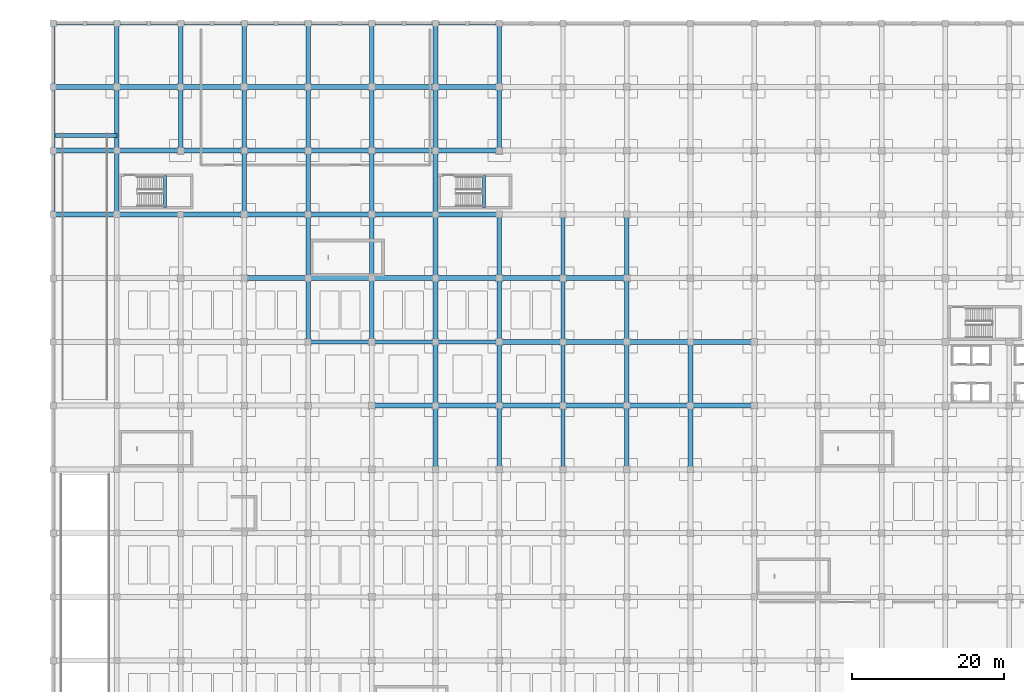
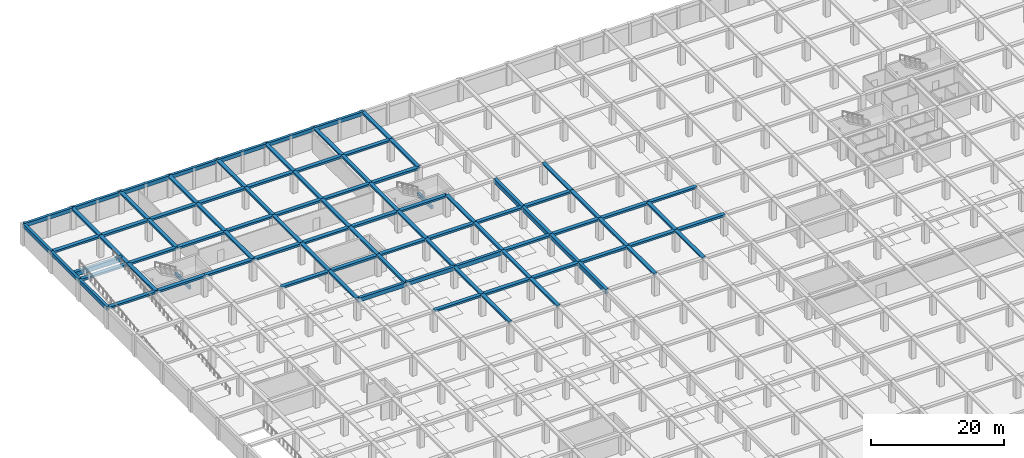
# One storey, part 6 of 32: 94 beams.
"""IFC4 building model written with IfcOpenShell, lengths in metres."""

from ifc_helpers import new_model, si_unit, direction, frame, origin, origin_2d, place, context, subcontext, project, spatial, rectangle, extrude, material, material_profile, profile_set, type_object, element, save


model = new_model("IFC4")

# Units and contexts
model_context = context("Model", 3, precision=1e-05, world=origin(), true_north=direction((0.0, 1.0)))
body_context = subcontext(model_context, "Body", "Model", "MODEL_VIEW")
ifc_project = project(units=[si_unit("LENGTHUNIT", "METRE"), si_unit("AREAUNIT", "SQUARE_METRE"), si_unit("VOLUMEUNIT", "CUBIC_METRE"), si_unit("PLANEANGLEUNIT", "RADIAN"), si_unit("MASSUNIT", "GRAM", prefix="KILO")], contexts=[model_context])

# Site, building, storey
site_placement = place(None, origin())
site = spatial("IfcSite", under=ifc_project, at=site_placement, CompositionType="ELEMENT")
building_placement = place(site_placement, origin())
building = spatial("IfcBuilding", under=site, at=building_placement, Name="Almacenes y Pasaje Nevantli", CompositionType="ELEMENT")
storey_placement = place(building_placement, frame((0.0, 0.0, -4.199951171875)))
storey = spatial("IfcBuildingStorey", under=building, at=storey_placement, Name="B01", CompositionType="ELEMENT", Elevation=-4.199951171875)

# Beams
ifc_material_1 = material(Name="Concrete C35/45", Category="concrete")
ifc_material_profile_1 = material_profile(ifc_material_1, rectangle(XDim=0.39990234375, YDim=0.60009765625, at=origin_2d()), Name="RC-BM-400x600")
ifc_profile_set_1 = profile_set([ifc_material_profile_1], Name="Concrete C35/45")
beam_type_1 = type_object("IfcBeamType", Name="BM-RC-400x600", PredefinedType="SPANDREL", material=ifc_profile_set_1)
for number, where, z_axis, x_axis, name in (
    (1, (14.780029296875, 93.300048828125, 1.599853515625), (0.0, 1.0, 0.0), (-1.0, 0.0, 0.0), "B01 Stair ST-03 Half-Landing Support Beam"),
    (2, (56.780029296875, 93.300048828125, 1.599853515625), (0.0, 1.0, 0.0), (-1.0, 0.0, 0.0), "B01 Stair ST-05 Half-Landing Support Beam"),
):
    element("IfcBeam", number, at=place(storey_placement, frame(where, z_axis=z_axis, x_axis=x_axis)), inside=storey, type_object=beam_type_1, Name=name, PredefinedType="SPANDREL", context=body_context, shape_type="SweptSolid", body=[
        extrude(rectangle(XDim=0.39990234375, YDim=0.60009765625, at=origin_2d()), origin(), (0.0, 0.0, 1.0), 4.25),
    ])
ifc_material_2 = material(Name="Concrete C35/45", Category="concrete")
ifc_material_profile_2 = material_profile(ifc_material_2, rectangle(XDim=0.449951171875, YDim=0.64990234375, at=origin_2d()), Name="RC-BM-450x650")
ifc_profile_set_2 = profile_set([ifc_material_profile_2], Name="Concrete C35/45")
beam_type_2 = type_object("IfcBeamType", Name="BM-RC-450x650", PredefinedType="SPANDREL", material=ifc_profile_set_2)
for number, where, z_axis, x_axis, name in (
    (3, (8.39990234375, 117.60009765625, 3.554931640625), (1.0, 0.0, 0.0), (0.0, 1.0, 0.0), "B01 East-West Reinforced Concrete Beam #877"),
    (4, (25.199951171875, 117.60009765625, 3.554931640625), (1.0, 0.0, 0.0), (0.0, 1.0, 0.0), "B01 East-West Reinforced Concrete Beam #879"),
):
    element("IfcBeam", number, at=place(storey_placement, frame(where, z_axis=z_axis, x_axis=x_axis)), inside=storey, type_object=beam_type_2, Name=name, PredefinedType="SPANDREL", context=body_context, shape_type="SweptSolid", body=[
        extrude(rectangle(XDim=0.449951171875, YDim=0.64990234375, at=origin_2d()), origin(), (0.0, 0.0, 1.0), 8.400146484375),
    ])
beam_1_placement = place(storey_placement, frame((42.0, 117.60009765625, 3.554931640625), z_axis=(1.0, 0.0, 0.0), x_axis=(0.0, 1.0, 0.0)))
element("IfcBeam", 5, at=beam_1_placement, inside=storey, type_object=beam_type_2, Name="B01 East-West Reinforced Concrete Beam #881", PredefinedType="SPANDREL", context=body_context, shape_type="SweptSolid", body=[
    extrude(rectangle(XDim=0.449951171875, YDim=0.64990234375, at=origin_2d()), origin(), (0.0, 0.0, 1.0), 8.39990234375),
])
ifc_material_3 = material(Name="Concrete C35/45", Category="concrete")
ifc_material_profile_3 = material_profile(ifc_material_3, rectangle(XDim=0.449951171875, YDim=0.699951171875, at=origin_2d()), Name="RC-BM-450x700")
ifc_profile_set_3 = profile_set([ifc_material_profile_3], Name="Concrete C35/45")
beam_type_3 = type_object("IfcBeamType", Name="BM-RC-450x700", PredefinedType="SPANDREL", material=ifc_profile_set_3)
for number, where, z_axis, x_axis, name in (
    (6, (0.0, 117.60009765625, 3.530029296875), (1.0, 0.0, 0.0), (0.0, 1.0, 0.0), "B01 East-West Reinforced Concrete Beam #876"),
    (7, (16.800048828125, 117.60009765625, 3.530029296875), (1.0, 0.0, 0.0), (0.0, 1.0, 0.0), "B01 East-West Reinforced Concrete Beam #878"),
    (8, (33.60009765625, 117.60009765625, 3.530029296875), (1.0, 0.0, 0.0), (0.0, 1.0, 0.0), "B01 East-West Reinforced Concrete Beam #880"),
):
    element("IfcBeam", number, at=place(storey_placement, frame(where, z_axis=z_axis, x_axis=x_axis)), inside=storey, type_object=beam_type_3, Name=name, PredefinedType="SPANDREL", context=body_context, shape_type="SweptSolid", body=[
        extrude(rectangle(XDim=0.449951171875, YDim=0.699951171875, at=origin_2d()), origin(), (0.0, 0.0, 1.0), 8.39990234375),
    ])
for number, where, z_axis, x_axis, name in (
    (9, (50.39990234375, 117.60009765625, 3.530029296875), (1.0, 0.0, 0.0), (0.0, 1.0, 0.0), "B01 East-West Reinforced Concrete Beam #882"),
    (10, (0.0, 92.39990234375, 3.530029296875), (0.0, 1.0, 0.0), (-1.0, 0.0, 0.0), "B01 North-South Reinforced Concrete Beam #904"),
):
    element("IfcBeam", number, at=place(storey_placement, frame(where, z_axis=z_axis, x_axis=x_axis)), inside=storey, type_object=beam_type_3, Name=name, PredefinedType="SPANDREL", context=body_context, shape_type="SweptSolid", body=[
        extrude(rectangle(XDim=0.449951171875, YDim=0.699951171875, at=origin_2d()), origin(), (0.0, 0.0, 1.0), 8.400146484375),
    ])
beam_2_placement = place(storey_placement, frame((0.0, 100.800048828125, 3.530029296875), z_axis=(0.0, 1.0, 0.0), x_axis=(-1.0, 0.0, 0.0)))
element("IfcBeam", 11, at=beam_2_placement, inside=storey, type_object=beam_type_3, Name="B01 North-South Reinforced Concrete Beam #905", PredefinedType="SPANDREL", context=body_context, shape_type="SweptSolid", body=[
    extrude(rectangle(XDim=0.449951171875, YDim=0.699951171875, at=origin_2d()), origin(), (0.0, 0.0, 1.0), 8.39990234375),
])
beam_3_placement = place(storey_placement, frame((0.0, 109.199951171875, 3.530029296875), z_axis=(0.0, 1.0, 0.0), x_axis=(-1.0, 0.0, 0.0)))
element("IfcBeam", 12, at=beam_3_placement, inside=storey, type_object=beam_type_3, Name="B01 North-South Reinforced Concrete Beam #906", PredefinedType="SPANDREL", context=body_context, shape_type="SweptSolid", body=[
    extrude(rectangle(XDim=0.449951171875, YDim=0.699951171875, at=origin_2d()), origin(), (0.0, 0.0, 1.0), 8.400146484375),
])
ifc_material_4 = material(Name="Concrete C35/45", Category="concrete")
ifc_material_profile_4 = material_profile(ifc_material_4, rectangle(XDim=0.5, YDim=0.699951171875, at=origin_2d()), Name="RC-BM-500x700")
ifc_profile_set_4 = profile_set([ifc_material_profile_4], Name="Concrete C35/45")
beam_type_4 = type_object("IfcBeamType", Name="BM-RC-500x700", PredefinedType="BEAM", material=ifc_profile_set_4)
beam_4_placement = place(storey_placement, frame((42.0, 75.60009765625, 3.530029296875), z_axis=(1.0, 0.0, 0.0), x_axis=(0.0, 1.0, 0.0)))
element("IfcBeam", 13, at=beam_4_placement, inside=storey, type_object=beam_type_4, Name="B01 East-West Reinforced Concrete Beam #781", PredefinedType="BEAM", context=body_context, shape_type="SweptSolid", body=[
    extrude(rectangle(XDim=0.5, YDim=0.699951171875, at=origin_2d()), origin(), (0.0, 0.0, 1.0), 8.39990234375),
])
ifc_material_5 = material(Name="Concrete C35/45", Category="concrete")
ifc_material_profile_5 = material_profile(ifc_material_5, rectangle(XDim=0.5, YDim=0.75, at=origin_2d()), Name="RC-BM-500x750")
ifc_profile_set_5 = profile_set([ifc_material_profile_5], Name="Concrete C35/45")
beam_type_5 = type_object("IfcBeamType", Name="BM-RC-500x750", PredefinedType="BEAM", material=ifc_profile_set_5)
beam_5_placement = place(storey_placement, frame((33.60009765625, 75.60009765625, 3.5048828125), z_axis=(1.0, 0.0, 0.0), x_axis=(0.0, 1.0, 0.0)))
element("IfcBeam", 14, at=beam_5_placement, inside=storey, type_object=beam_type_5, Name="B01 East-West Reinforced Concrete Beam #780", PredefinedType="BEAM", context=body_context, shape_type="SweptSolid", body=[
    extrude(rectangle(XDim=0.5, YDim=0.75, at=origin_2d()), origin(), (0.0, 0.0, 1.0), 8.39990234375),
])
beam_6_placement = place(storey_placement, frame((50.39990234375, 75.60009765625, 3.5048828125), z_axis=(1.0, 0.0, 0.0), x_axis=(0.0, 1.0, 0.0)))
element("IfcBeam", 15, at=beam_6_placement, inside=storey, type_object=beam_type_5, Name="B01 East-West Reinforced Concrete Beam #782", PredefinedType="BEAM", context=body_context, shape_type="SweptSolid", body=[
    extrude(rectangle(XDim=0.5, YDim=0.75, at=origin_2d()), origin(), (0.0, 0.0, 1.0), 8.400146484375),
])
ifc_material_6 = material(Name="Concrete C35/45", Category="concrete")
ifc_material_profile_6 = material_profile(ifc_material_6, rectangle(XDim=0.550048828125, YDim=0.800048828125, at=origin_2d()), Name="RC-BM-550x800")
ifc_profile_set_6 = profile_set([ifc_material_profile_6], Name="Concrete C35/45")
beam_type_6 = type_object("IfcBeamType", Name="BM-RC-550x800", PredefinedType="BEAM", material=ifc_profile_set_6)
beam_7_placement = place(storey_placement, frame((67.199951171875, 58.800048828125, 3.47998046875), z_axis=(0.0, 1.0, 0.0), x_axis=(-1.0, 0.0, 0.0)))
element("IfcBeam", 16, at=beam_7_placement, inside=storey, type_object=beam_type_6, Name="B01 North-South Reinforced Concrete Beam #1003", PredefinedType="BEAM", context=body_context, shape_type="SweptSolid", body=[
    extrude(rectangle(XDim=0.550048828125, YDim=0.800048828125, at=origin_2d()), origin(), (0.0, 0.0, 1.0), 8.39990234375),
])
beam_8_placement = place(storey_placement, frame((67.199951171875, 67.199951171875, 3.47998046875), z_axis=(0.0, 1.0, 0.0), x_axis=(-1.0, 0.0, 0.0)))
element("IfcBeam", 17, at=beam_8_placement, inside=storey, type_object=beam_type_6, Name="B01 North-South Reinforced Concrete Beam #1004", PredefinedType="BEAM", context=body_context, shape_type="SweptSolid", body=[
    extrude(rectangle(XDim=0.550048828125, YDim=0.800048828125, at=origin_2d()), origin(), (0.0, 0.0, 1.0), 8.400146484375),
])
for number, where, z_axis, x_axis, name in (
    (18, (67.199951171875, 75.60009765625, 3.47998046875), (0.0, 1.0, 0.0), (-1.0, 0.0, 0.0), "B01 North-South Reinforced Concrete Beam #1005"),
    (19, (67.199951171875, 84.0, 3.47998046875), (0.0, 1.0, 0.0), (-1.0, 0.0, 0.0), "B01 North-South Reinforced Concrete Beam #1006"),
    (20, (0.0, 102.800048828125, 3.47998046875), (1.0, 0.0, 0.0), (0.0, 1.0, 0.0), "L01 Vehicular Ramp RP-02 Top Header Beam"),
):
    element("IfcBeam", number, at=place(storey_placement, frame(where, z_axis=z_axis, x_axis=x_axis)), inside=storey, type_object=beam_type_6, Name=name, PredefinedType="BEAM", context=body_context, shape_type="SweptSolid", body=[
        extrude(rectangle(XDim=0.550048828125, YDim=0.800048828125, at=origin_2d()), origin(), (0.0, 0.0, 1.0), 8.39990234375),
    ])
ifc_material_7 = material(Name="Concrete C35/45", Category="concrete")
ifc_material_profile_7 = material_profile(ifc_material_7, rectangle(XDim=0.60009765625, YDim=0.320068359375, at=origin_2d()), Name="RC-BM-600x320")
ifc_profile_set_7 = profile_set([ifc_material_profile_7], Name="Concrete C35/45")
beam_type_7 = type_object("IfcBeamType", Name="BM-RC-600x320", PredefinedType="BEAM", material=ifc_profile_set_7)
beam_9_placement = place(storey_placement, frame((8.39990234375, 100.800048828125, 3.719970703125), z_axis=(0.0, 1.0, 0.0), x_axis=(-1.0, 0.0, 0.0)))
element("IfcBeam", 21, at=beam_9_placement, inside=storey, type_object=beam_type_7, Name="B01 North-South Reinforced Concrete Beam #916", PredefinedType="BEAM", context=body_context, shape_type="SweptSolid", body=[
    extrude(rectangle(XDim=0.60009765625, YDim=0.320068359375, at=origin_2d()), origin(), (0.0, 0.0, 1.0), 8.39990234375),
])
beam_10_placement = place(storey_placement, frame((16.800048828125, 109.199951171875, 3.719970703125), z_axis=(0.0, 1.0, 0.0), x_axis=(-1.0, 0.0, 0.0)))
element("IfcBeam", 22, at=beam_10_placement, inside=storey, type_object=beam_type_7, Name="B01 North-South Reinforced Concrete Beam #927", PredefinedType="BEAM", context=body_context, shape_type="SweptSolid", body=[
    extrude(rectangle(XDim=0.60009765625, YDim=0.320068359375, at=origin_2d()), origin(), (0.0, 0.0, 1.0), 8.400146484375),
])
for number, where, z_axis, x_axis, name in (
    (23, (25.199951171875, 100.800048828125, 3.719970703125), (0.0, 1.0, 0.0), (-1.0, 0.0, 0.0), "B01 North-South Reinforced Concrete Beam #940"),
    (24, (33.60009765625, 75.60009765625, 3.719970703125), (0.0, 1.0, 0.0), (-1.0, 0.0, 0.0), "B01 North-South Reinforced Concrete Beam #950"),
):
    element("IfcBeam", number, at=place(storey_placement, frame(where, z_axis=z_axis, x_axis=x_axis)), inside=storey, type_object=beam_type_7, Name=name, PredefinedType="BEAM", context=body_context, shape_type="SweptSolid", body=[
        extrude(rectangle(XDim=0.60009765625, YDim=0.320068359375, at=origin_2d()), origin(), (0.0, 0.0, 1.0), 8.39990234375),
    ])
for number, where, z_axis, x_axis, name in (
    (25, (33.60009765625, 92.39990234375, 3.719970703125), (0.0, 1.0, 0.0), (-1.0, 0.0, 0.0), "B01 North-South Reinforced Concrete Beam #952"),
    (26, (33.60009765625, 109.199951171875, 3.719970703125), (0.0, 1.0, 0.0), (-1.0, 0.0, 0.0), "B01 North-South Reinforced Concrete Beam #954"),
):
    element("IfcBeam", number, at=place(storey_placement, frame(where, z_axis=z_axis, x_axis=x_axis)), inside=storey, type_object=beam_type_7, Name=name, PredefinedType="BEAM", context=body_context, shape_type="SweptSolid", body=[
        extrude(rectangle(XDim=0.60009765625, YDim=0.320068359375, at=origin_2d()), origin(), (0.0, 0.0, 1.0), 8.400146484375),
    ])
for number, where, z_axis, x_axis, name in (
    (27, (42.0, 84.0, 3.719970703125), (0.0, 1.0, 0.0), (-1.0, 0.0, 0.0), "B01 North-South Reinforced Concrete Beam #965"),
    (28, (42.0, 100.800048828125, 3.719970703125), (0.0, 1.0, 0.0), (-1.0, 0.0, 0.0), "B01 North-South Reinforced Concrete Beam #967"),
    (29, (50.39990234375, 58.800048828125, 3.719970703125), (0.0, 1.0, 0.0), (-1.0, 0.0, 0.0), "B01 North-South Reinforced Concrete Beam #976"),
    (30, (50.39990234375, 75.60009765625, 3.719970703125), (0.0, 1.0, 0.0), (-1.0, 0.0, 0.0), "B01 North-South Reinforced Concrete Beam #978"),
):
    element("IfcBeam", number, at=place(storey_placement, frame(where, z_axis=z_axis, x_axis=x_axis)), inside=storey, type_object=beam_type_7, Name=name, PredefinedType="BEAM", context=body_context, shape_type="SweptSolid", body=[
        extrude(rectangle(XDim=0.60009765625, YDim=0.320068359375, at=origin_2d()), origin(), (0.0, 0.0, 1.0), 8.39990234375),
    ])
for number, where, z_axis, x_axis, name in (
    (31, (50.39990234375, 92.39990234375, 3.719970703125), (0.0, 1.0, 0.0), (-1.0, 0.0, 0.0), "B01 North-South Reinforced Concrete Beam #980"),
    (32, (50.39990234375, 109.199951171875, 3.719970703125), (0.0, 1.0, 0.0), (-1.0, 0.0, 0.0), "B01 North-South Reinforced Concrete Beam #982"),
    (33, (58.800048828125, 67.199951171875, 3.719970703125), (0.0, 1.0, 0.0), (-1.0, 0.0, 0.0), "B01 North-South Reinforced Concrete Beam #991"),
):
    element("IfcBeam", number, at=place(storey_placement, frame(where, z_axis=z_axis, x_axis=x_axis)), inside=storey, type_object=beam_type_7, Name=name, PredefinedType="BEAM", context=body_context, shape_type="SweptSolid", body=[
        extrude(rectangle(XDim=0.60009765625, YDim=0.320068359375, at=origin_2d()), origin(), (0.0, 0.0, 1.0), 8.400146484375),
    ])
for number, where, z_axis, x_axis, name in (
    (34, (58.800048828125, 84.0, 3.719970703125), (0.0, 1.0, 0.0), (-1.0, 0.0, 0.0), "B01 North-South Reinforced Concrete Beam #993"),
    (35, (58.800048828125, 100.800048828125, 3.719970703125), (0.0, 1.0, 0.0), (-1.0, 0.0, 0.0), "B01 North-South Reinforced Concrete Beam #994"),
):
    element("IfcBeam", number, at=place(storey_placement, frame(where, z_axis=z_axis, x_axis=x_axis)), inside=storey, type_object=beam_type_7, Name=name, PredefinedType="BEAM", context=body_context, shape_type="SweptSolid", body=[
        extrude(rectangle(XDim=0.60009765625, YDim=0.320068359375, at=origin_2d()), origin(), (0.0, 0.0, 1.0), 8.39990234375),
    ])
beam_11_placement = place(storey_placement, frame((75.60009765625, 67.199951171875, 3.719970703125), z_axis=(0.0, 1.0, 0.0), x_axis=(-1.0, 0.0, 0.0)))
element("IfcBeam", 36, at=beam_11_placement, inside=storey, type_object=beam_type_7, Name="B01 North-South Reinforced Concrete Beam #1018", PredefinedType="BEAM", context=body_context, shape_type="SweptSolid", body=[
    extrude(rectangle(XDim=0.60009765625, YDim=0.320068359375, at=origin_2d()), origin(), (0.0, 0.0, 1.0), 8.400146484375),
])
for number, where, z_axis, x_axis, name in (
    (37, (75.60009765625, 84.0, 3.719970703125), (0.0, 1.0, 0.0), (-1.0, 0.0, 0.0), "B01 North-South Reinforced Concrete Beam #1020"),
    (38, (84.0, 58.800048828125, 3.719970703125), (0.0, 1.0, 0.0), (-1.0, 0.0, 0.0), "B01 North-South Reinforced Concrete Beam #1031"),
):
    element("IfcBeam", number, at=place(storey_placement, frame(where, z_axis=z_axis, x_axis=x_axis)), inside=storey, type_object=beam_type_7, Name=name, PredefinedType="BEAM", context=body_context, shape_type="SweptSolid", body=[
        extrude(rectangle(XDim=0.60009765625, YDim=0.320068359375, at=origin_2d()), origin(), (0.0, 0.0, 1.0), 8.39990234375),
    ])
ifc_material_8 = material(Name="Concrete C35/45", Category="concrete")
ifc_material_profile_8 = material_profile(ifc_material_8, rectangle(XDim=0.60009765625, YDim=0.340087890625, at=origin_2d()), Name="RC-BM-600x340")
ifc_profile_set_8 = profile_set([ifc_material_profile_8], Name="Concrete C35/45")
beam_type_8 = type_object("IfcBeamType", Name="BM-RC-600x340", PredefinedType="BEAM", material=ifc_profile_set_8)
for number, where, z_axis, x_axis, name in (
    (39, (8.39990234375, 92.39990234375, 3.7099609375), (0.0, 1.0, 0.0), (-1.0, 0.0, 0.0), "B01 North-South Reinforced Concrete Beam #915"),
    (40, (8.39990234375, 109.199951171875, 3.7099609375), (0.0, 1.0, 0.0), (-1.0, 0.0, 0.0), "B01 North-South Reinforced Concrete Beam #917"),
):
    element("IfcBeam", number, at=place(storey_placement, frame(where, z_axis=z_axis, x_axis=x_axis)), inside=storey, type_object=beam_type_8, Name=name, PredefinedType="BEAM", context=body_context, shape_type="SweptSolid", body=[
        extrude(rectangle(XDim=0.60009765625, YDim=0.340087890625, at=origin_2d()), origin(), (0.0, 0.0, 1.0), 8.400146484375),
    ])
beam_12_placement = place(storey_placement, frame((16.800048828125, 100.800048828125, 3.7099609375), z_axis=(0.0, 1.0, 0.0), x_axis=(-1.0, 0.0, 0.0)))
element("IfcBeam", 41, at=beam_12_placement, inside=storey, type_object=beam_type_8, Name="B01 North-South Reinforced Concrete Beam #926", PredefinedType="BEAM", context=body_context, shape_type="SweptSolid", body=[
    extrude(rectangle(XDim=0.60009765625, YDim=0.340087890625, at=origin_2d()), origin(), (0.0, 0.0, 1.0), 8.39990234375),
])
for number, where, z_axis, x_axis, name in (
    (42, (25.199951171875, 92.39990234375, 3.7099609375), (0.0, 1.0, 0.0), (-1.0, 0.0, 0.0), "B01 North-South Reinforced Concrete Beam #939"),
    (43, (25.199951171875, 109.199951171875, 3.7099609375), (0.0, 1.0, 0.0), (-1.0, 0.0, 0.0), "B01 North-South Reinforced Concrete Beam #941"),
):
    element("IfcBeam", number, at=place(storey_placement, frame(where, z_axis=z_axis, x_axis=x_axis)), inside=storey, type_object=beam_type_8, Name=name, PredefinedType="BEAM", context=body_context, shape_type="SweptSolid", body=[
        extrude(rectangle(XDim=0.60009765625, YDim=0.340087890625, at=origin_2d()), origin(), (0.0, 0.0, 1.0), 8.400146484375),
    ])
for number, where, z_axis, x_axis, name in (
    (44, (33.60009765625, 84.0, 3.7099609375), (0.0, 1.0, 0.0), (-1.0, 0.0, 0.0), "B01 North-South Reinforced Concrete Beam #951"),
    (45, (33.60009765625, 100.800048828125, 3.7099609375), (0.0, 1.0, 0.0), (-1.0, 0.0, 0.0), "B01 North-South Reinforced Concrete Beam #953"),
    (46, (42.0, 75.60009765625, 3.7099609375), (0.0, 1.0, 0.0), (-1.0, 0.0, 0.0), "B01 North-South Reinforced Concrete Beam #964"),
):
    element("IfcBeam", number, at=place(storey_placement, frame(where, z_axis=z_axis, x_axis=x_axis)), inside=storey, type_object=beam_type_8, Name=name, PredefinedType="BEAM", context=body_context, shape_type="SweptSolid", body=[
        extrude(rectangle(XDim=0.60009765625, YDim=0.340087890625, at=origin_2d()), origin(), (0.0, 0.0, 1.0), 8.39990234375),
    ])
for number, where, z_axis, x_axis, name in (
    (47, (42.0, 92.39990234375, 3.7099609375), (0.0, 1.0, 0.0), (-1.0, 0.0, 0.0), "B01 North-South Reinforced Concrete Beam #966"),
    (48, (42.0, 109.199951171875, 3.7099609375), (0.0, 1.0, 0.0), (-1.0, 0.0, 0.0), "B01 North-South Reinforced Concrete Beam #968"),
    (49, (50.39990234375, 67.199951171875, 3.7099609375), (0.0, 1.0, 0.0), (-1.0, 0.0, 0.0), "B01 North-South Reinforced Concrete Beam #977"),
):
    element("IfcBeam", number, at=place(storey_placement, frame(where, z_axis=z_axis, x_axis=x_axis)), inside=storey, type_object=beam_type_8, Name=name, PredefinedType="BEAM", context=body_context, shape_type="SweptSolid", body=[
        extrude(rectangle(XDim=0.60009765625, YDim=0.340087890625, at=origin_2d()), origin(), (0.0, 0.0, 1.0), 8.400146484375),
    ])
for number, where, z_axis, x_axis, name in (
    (50, (50.39990234375, 84.0, 3.7099609375), (0.0, 1.0, 0.0), (-1.0, 0.0, 0.0), "B01 North-South Reinforced Concrete Beam #979"),
    (51, (50.39990234375, 100.800048828125, 3.7099609375), (0.0, 1.0, 0.0), (-1.0, 0.0, 0.0), "B01 North-South Reinforced Concrete Beam #981"),
    (52, (58.800048828125, 58.800048828125, 3.7099609375), (0.0, 1.0, 0.0), (-1.0, 0.0, 0.0), "B01 North-South Reinforced Concrete Beam #990"),
    (53, (58.800048828125, 75.60009765625, 3.7099609375), (0.0, 1.0, 0.0), (-1.0, 0.0, 0.0), "B01 North-South Reinforced Concrete Beam #992"),
):
    element("IfcBeam", number, at=place(storey_placement, frame(where, z_axis=z_axis, x_axis=x_axis)), inside=storey, type_object=beam_type_8, Name=name, PredefinedType="BEAM", context=body_context, shape_type="SweptSolid", body=[
        extrude(rectangle(XDim=0.60009765625, YDim=0.340087890625, at=origin_2d()), origin(), (0.0, 0.0, 1.0), 8.39990234375),
    ])
beam_13_placement = place(storey_placement, frame((58.800048828125, 109.199951171875, 3.7099609375), z_axis=(0.0, 1.0, 0.0), x_axis=(-1.0, 0.0, 0.0)))
element("IfcBeam", 54, at=beam_13_placement, inside=storey, type_object=beam_type_8, Name="B01 North-South Reinforced Concrete Beam #995", PredefinedType="BEAM", context=body_context, shape_type="SweptSolid", body=[
    extrude(rectangle(XDim=0.60009765625, YDim=0.340087890625, at=origin_2d()), origin(), (0.0, 0.0, 1.0), 8.400146484375),
])
for number, where, z_axis, x_axis, name in (
    (55, (75.60009765625, 58.800048828125, 3.7099609375), (0.0, 1.0, 0.0), (-1.0, 0.0, 0.0), "B01 North-South Reinforced Concrete Beam #1017"),
    (56, (75.60009765625, 75.60009765625, 3.7099609375), (0.0, 1.0, 0.0), (-1.0, 0.0, 0.0), "B01 North-South Reinforced Concrete Beam #1019"),
):
    element("IfcBeam", number, at=place(storey_placement, frame(where, z_axis=z_axis, x_axis=x_axis)), inside=storey, type_object=beam_type_8, Name=name, PredefinedType="BEAM", context=body_context, shape_type="SweptSolid", body=[
        extrude(rectangle(XDim=0.60009765625, YDim=0.340087890625, at=origin_2d()), origin(), (0.0, 0.0, 1.0), 8.39990234375),
    ])
beam_14_placement = place(storey_placement, frame((84.0, 67.199951171875, 3.7099609375), z_axis=(0.0, 1.0, 0.0), x_axis=(-1.0, 0.0, 0.0)))
element("IfcBeam", 57, at=beam_14_placement, inside=storey, type_object=beam_type_8, Name="B01 North-South Reinforced Concrete Beam #1032", PredefinedType="BEAM", context=body_context, shape_type="SweptSolid", body=[
    extrude(rectangle(XDim=0.60009765625, YDim=0.340087890625, at=origin_2d()), origin(), (0.0, 0.0, 1.0), 8.400146484375),
])
ifc_material_9 = material(Name="Concrete C35/45", Category="concrete")
ifc_material_profile_9 = material_profile(ifc_material_9, rectangle(XDim=0.64990234375, YDim=0.35009765625, at=origin_2d()), Name="RC-BM-650x350")
ifc_profile_set_9 = profile_set([ifc_material_profile_9], Name="Concrete C35/45")
beam_type_9 = type_object("IfcBeamType", Name="BM-RC-650x350", PredefinedType="BEAM", material=ifc_profile_set_9)
for number, where, z_axis, x_axis, name in (
    (58, (42.0, 67.199951171875, 3.704833984375), (1.0, 0.0, 0.0), (0.0, 1.0, 0.0), "B01 East-West Reinforced Concrete Beam #761"),
    (59, (58.800048828125, 67.199951171875, 3.704833984375), (1.0, 0.0, 0.0), (0.0, 1.0, 0.0), "B01 East-West Reinforced Concrete Beam #763"),
    (60, (75.60009765625, 67.199951171875, 3.704833984375), (1.0, 0.0, 0.0), (0.0, 1.0, 0.0), "B01 East-West Reinforced Concrete Beam #765"),
):
    element("IfcBeam", number, at=place(storey_placement, frame(where, z_axis=z_axis, x_axis=x_axis)), inside=storey, type_object=beam_type_9, Name=name, PredefinedType="BEAM", context=body_context, shape_type="SweptSolid", body=[
        extrude(rectangle(XDim=0.64990234375, YDim=0.35009765625, at=origin_2d()), origin(), (0.0, 0.0, 1.0), 8.39990234375),
    ])
beam_15_placement = place(storey_placement, frame((67.199951171875, 75.60009765625, 3.704833984375), z_axis=(1.0, 0.0, 0.0), x_axis=(0.0, 1.0, 0.0)))
element("IfcBeam", 61, at=beam_15_placement, inside=storey, type_object=beam_type_9, Name="B01 East-West Reinforced Concrete Beam #784", PredefinedType="BEAM", context=body_context, shape_type="SweptSolid", body=[
    extrude(rectangle(XDim=0.64990234375, YDim=0.35009765625, at=origin_2d()), origin(), (0.0, 0.0, 1.0), 8.400146484375),
])
beam_16_placement = place(storey_placement, frame((84.0, 75.60009765625, 3.704833984375), z_axis=(1.0, 0.0, 0.0), x_axis=(0.0, 1.0, 0.0)))
element("IfcBeam", 62, at=beam_16_placement, inside=storey, type_object=beam_type_9, Name="B01 East-West Reinforced Concrete Beam #786", PredefinedType="BEAM", context=body_context, shape_type="SweptSolid", body=[
    extrude(rectangle(XDim=0.64990234375, YDim=0.35009765625, at=origin_2d()), origin(), (0.0, 0.0, 1.0), 8.39990234375),
])
beam_17_placement = place(storey_placement, frame((25.199951171875, 84.0, 3.704833984375), z_axis=(1.0, 0.0, 0.0), x_axis=(0.0, 1.0, 0.0)))
element("IfcBeam", 63, at=beam_17_placement, inside=storey, type_object=beam_type_9, Name="B01 East-West Reinforced Concrete Beam #799", PredefinedType="BEAM", context=body_context, shape_type="SweptSolid", body=[
    extrude(rectangle(XDim=0.64990234375, YDim=0.35009765625, at=origin_2d()), origin(), (0.0, 0.0, 1.0), 8.400146484375),
])
for number, where, z_axis, x_axis, name in (
    (64, (42.0, 84.0, 3.704833984375), (1.0, 0.0, 0.0), (0.0, 1.0, 0.0), "B01 East-West Reinforced Concrete Beam #801"),
    (65, (58.800048828125, 84.0, 3.704833984375), (1.0, 0.0, 0.0), (0.0, 1.0, 0.0), "B01 East-West Reinforced Concrete Beam #803"),
    (66, (0.0, 92.39990234375, 3.704833984375), (1.0, 0.0, 0.0), (0.0, 1.0, 0.0), "B01 East-West Reinforced Concrete Beam #816"),
    (67, (16.800048828125, 92.39990234375, 3.704833984375), (1.0, 0.0, 0.0), (0.0, 1.0, 0.0), "B01 East-West Reinforced Concrete Beam #818"),
    (68, (33.60009765625, 92.39990234375, 3.704833984375), (1.0, 0.0, 0.0), (0.0, 1.0, 0.0), "B01 East-West Reinforced Concrete Beam #820"),
):
    element("IfcBeam", number, at=place(storey_placement, frame(where, z_axis=z_axis, x_axis=x_axis)), inside=storey, type_object=beam_type_9, Name=name, PredefinedType="BEAM", context=body_context, shape_type="SweptSolid", body=[
        extrude(rectangle(XDim=0.64990234375, YDim=0.35009765625, at=origin_2d()), origin(), (0.0, 0.0, 1.0), 8.39990234375),
    ])
for number, where, z_axis, x_axis, name in (
    (69, (50.39990234375, 92.39990234375, 3.704833984375), (1.0, 0.0, 0.0), (0.0, 1.0, 0.0), "B01 East-West Reinforced Concrete Beam #822"),
    (70, (8.39990234375, 100.800048828125, 3.704833984375), (1.0, 0.0, 0.0), (0.0, 1.0, 0.0), "B01 East-West Reinforced Concrete Beam #837"),
    (71, (25.199951171875, 100.800048828125, 3.704833984375), (1.0, 0.0, 0.0), (0.0, 1.0, 0.0), "B01 East-West Reinforced Concrete Beam #839"),
):
    element("IfcBeam", number, at=place(storey_placement, frame(where, z_axis=z_axis, x_axis=x_axis)), inside=storey, type_object=beam_type_9, Name=name, PredefinedType="BEAM", context=body_context, shape_type="SweptSolid", body=[
        extrude(rectangle(XDim=0.64990234375, YDim=0.35009765625, at=origin_2d()), origin(), (0.0, 0.0, 1.0), 8.400146484375),
    ])
for number, where, z_axis, x_axis, name in (
    (72, (42.0, 100.800048828125, 3.704833984375), (1.0, 0.0, 0.0), (0.0, 1.0, 0.0), "B01 East-West Reinforced Concrete Beam #841"),
    (73, (0.0, 109.199951171875, 3.704833984375), (1.0, 0.0, 0.0), (0.0, 1.0, 0.0), "B01 East-West Reinforced Concrete Beam #856"),
    (74, (16.800048828125, 109.199951171875, 3.704833984375), (1.0, 0.0, 0.0), (0.0, 1.0, 0.0), "B01 East-West Reinforced Concrete Beam #858"),
    (75, (33.60009765625, 109.199951171875, 3.704833984375), (1.0, 0.0, 0.0), (0.0, 1.0, 0.0), "B01 East-West Reinforced Concrete Beam #860"),
):
    element("IfcBeam", number, at=place(storey_placement, frame(where, z_axis=z_axis, x_axis=x_axis)), inside=storey, type_object=beam_type_9, Name=name, PredefinedType="BEAM", context=body_context, shape_type="SweptSolid", body=[
        extrude(rectangle(XDim=0.64990234375, YDim=0.35009765625, at=origin_2d()), origin(), (0.0, 0.0, 1.0), 8.39990234375),
    ])
beam_18_placement = place(storey_placement, frame((50.39990234375, 109.199951171875, 3.704833984375), z_axis=(1.0, 0.0, 0.0), x_axis=(0.0, 1.0, 0.0)))
element("IfcBeam", 76, at=beam_18_placement, inside=storey, type_object=beam_type_9, Name="B01 East-West Reinforced Concrete Beam #862", PredefinedType="BEAM", context=body_context, shape_type="SweptSolid", body=[
    extrude(rectangle(XDim=0.64990234375, YDim=0.35009765625, at=origin_2d()), origin(), (0.0, 0.0, 1.0), 8.400146484375),
])
ifc_material_10 = material(Name="Concrete C35/45", Category="concrete")
ifc_material_profile_10 = material_profile(ifc_material_10, rectangle(XDim=0.64990234375, YDim=0.3798828125, at=origin_2d()), Name="RC-BM-650x380")
ifc_profile_set_10 = profile_set([ifc_material_profile_10], Name="Concrete C35/45")
beam_type_10 = type_object("IfcBeamType", Name="BM-RC-650x380", PredefinedType="BEAM", material=ifc_profile_set_10)
for number, where, z_axis, x_axis, name in (
    (77, (50.39990234375, 67.199951171875, 3.68994140625), (1.0, 0.0, 0.0), (0.0, 1.0, 0.0), "B01 East-West Reinforced Concrete Beam #762"),
    (78, (67.199951171875, 67.199951171875, 3.68994140625), (1.0, 0.0, 0.0), (0.0, 1.0, 0.0), "B01 East-West Reinforced Concrete Beam #764"),
):
    element("IfcBeam", number, at=place(storey_placement, frame(where, z_axis=z_axis, x_axis=x_axis)), inside=storey, type_object=beam_type_10, Name=name, PredefinedType="BEAM", context=body_context, shape_type="SweptSolid", body=[
        extrude(rectangle(XDim=0.64990234375, YDim=0.3798828125, at=origin_2d()), origin(), (0.0, 0.0, 1.0), 8.400146484375),
    ])
for number, where, z_axis, x_axis, name in (
    (79, (84.0, 67.199951171875, 3.68994140625), (1.0, 0.0, 0.0), (0.0, 1.0, 0.0), "B01 East-West Reinforced Concrete Beam #766"),
    (80, (58.800048828125, 75.60009765625, 3.68994140625), (1.0, 0.0, 0.0), (0.0, 1.0, 0.0), "B01 East-West Reinforced Concrete Beam #783"),
    (81, (75.60009765625, 75.60009765625, 3.68994140625), (1.0, 0.0, 0.0), (0.0, 1.0, 0.0), "B01 East-West Reinforced Concrete Beam #785"),
    (82, (33.60009765625, 84.0, 3.68994140625), (1.0, 0.0, 0.0), (0.0, 1.0, 0.0), "B01 East-West Reinforced Concrete Beam #800"),
):
    element("IfcBeam", number, at=place(storey_placement, frame(where, z_axis=z_axis, x_axis=x_axis)), inside=storey, type_object=beam_type_10, Name=name, PredefinedType="BEAM", context=body_context, shape_type="SweptSolid", body=[
        extrude(rectangle(XDim=0.64990234375, YDim=0.3798828125, at=origin_2d()), origin(), (0.0, 0.0, 1.0), 8.39990234375),
    ])
for number, where, z_axis, x_axis, name in (
    (83, (50.39990234375, 84.0, 3.68994140625), (1.0, 0.0, 0.0), (0.0, 1.0, 0.0), "B01 East-West Reinforced Concrete Beam #802"),
    (84, (67.199951171875, 84.0, 3.68994140625), (1.0, 0.0, 0.0), (0.0, 1.0, 0.0), "B01 East-West Reinforced Concrete Beam #804"),
    (85, (8.39990234375, 92.39990234375, 3.68994140625), (1.0, 0.0, 0.0), (0.0, 1.0, 0.0), "B01 East-West Reinforced Concrete Beam #817"),
    (86, (25.199951171875, 92.39990234375, 3.68994140625), (1.0, 0.0, 0.0), (0.0, 1.0, 0.0), "B01 East-West Reinforced Concrete Beam #819"),
):
    element("IfcBeam", number, at=place(storey_placement, frame(where, z_axis=z_axis, x_axis=x_axis)), inside=storey, type_object=beam_type_10, Name=name, PredefinedType="BEAM", context=body_context, shape_type="SweptSolid", body=[
        extrude(rectangle(XDim=0.64990234375, YDim=0.3798828125, at=origin_2d()), origin(), (0.0, 0.0, 1.0), 8.400146484375),
    ])
for number, where, z_axis, x_axis, name in (
    (87, (42.0, 92.39990234375, 3.68994140625), (1.0, 0.0, 0.0), (0.0, 1.0, 0.0), "B01 East-West Reinforced Concrete Beam #821"),
    (88, (0.0, 100.800048828125, 3.68994140625), (1.0, 0.0, 0.0), (0.0, 1.0, 0.0), "B01 East-West Reinforced Concrete Beam #836"),
    (89, (16.800048828125, 100.800048828125, 3.68994140625), (1.0, 0.0, 0.0), (0.0, 1.0, 0.0), "B01 East-West Reinforced Concrete Beam #838"),
    (90, (33.60009765625, 100.800048828125, 3.68994140625), (1.0, 0.0, 0.0), (0.0, 1.0, 0.0), "B01 East-West Reinforced Concrete Beam #840"),
):
    element("IfcBeam", number, at=place(storey_placement, frame(where, z_axis=z_axis, x_axis=x_axis)), inside=storey, type_object=beam_type_10, Name=name, PredefinedType="BEAM", context=body_context, shape_type="SweptSolid", body=[
        extrude(rectangle(XDim=0.64990234375, YDim=0.3798828125, at=origin_2d()), origin(), (0.0, 0.0, 1.0), 8.39990234375),
    ])
for number, where, z_axis, x_axis, name in (
    (91, (50.39990234375, 100.800048828125, 3.68994140625), (1.0, 0.0, 0.0), (0.0, 1.0, 0.0), "B01 East-West Reinforced Concrete Beam #842"),
    (92, (8.39990234375, 109.199951171875, 3.68994140625), (1.0, 0.0, 0.0), (0.0, 1.0, 0.0), "B01 East-West Reinforced Concrete Beam #857"),
    (93, (25.199951171875, 109.199951171875, 3.68994140625), (1.0, 0.0, 0.0), (0.0, 1.0, 0.0), "B01 East-West Reinforced Concrete Beam #859"),
):
    element("IfcBeam", number, at=place(storey_placement, frame(where, z_axis=z_axis, x_axis=x_axis)), inside=storey, type_object=beam_type_10, Name=name, PredefinedType="BEAM", context=body_context, shape_type="SweptSolid", body=[
        extrude(rectangle(XDim=0.64990234375, YDim=0.3798828125, at=origin_2d()), origin(), (0.0, 0.0, 1.0), 8.400146484375),
    ])
beam_19_placement = place(storey_placement, frame((42.0, 109.199951171875, 3.68994140625), z_axis=(1.0, 0.0, 0.0), x_axis=(0.0, 1.0, 0.0)))
element("IfcBeam", 94, at=beam_19_placement, inside=storey, type_object=beam_type_10, Name="B01 East-West Reinforced Concrete Beam #861", PredefinedType="BEAM", context=body_context, shape_type="SweptSolid", body=[
    extrude(rectangle(XDim=0.64990234375, YDim=0.3798828125, at=origin_2d()), origin(), (0.0, 0.0, 1.0), 8.39990234375),
])

save(model, "model.ifc")
